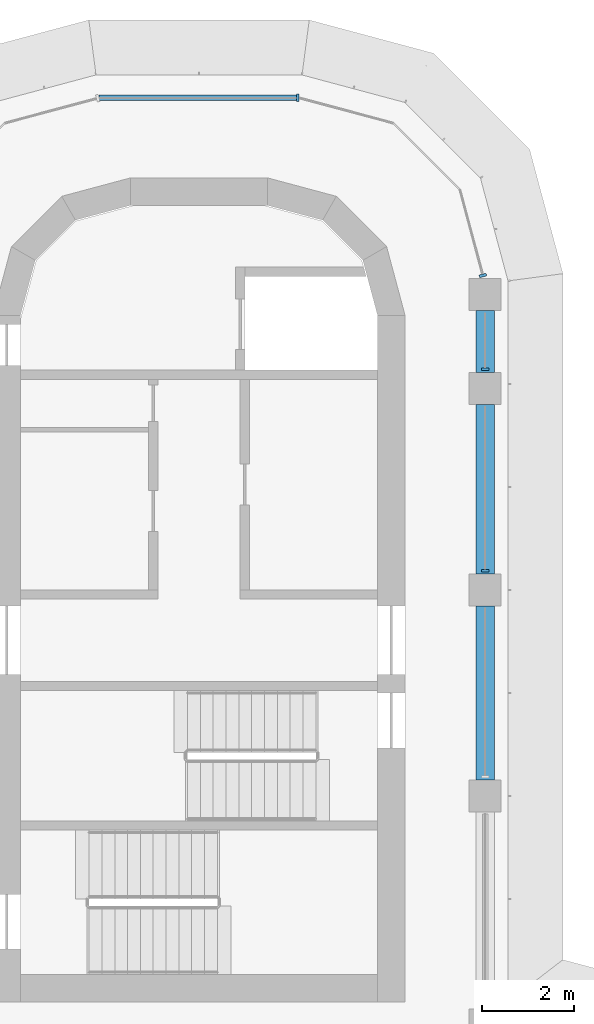
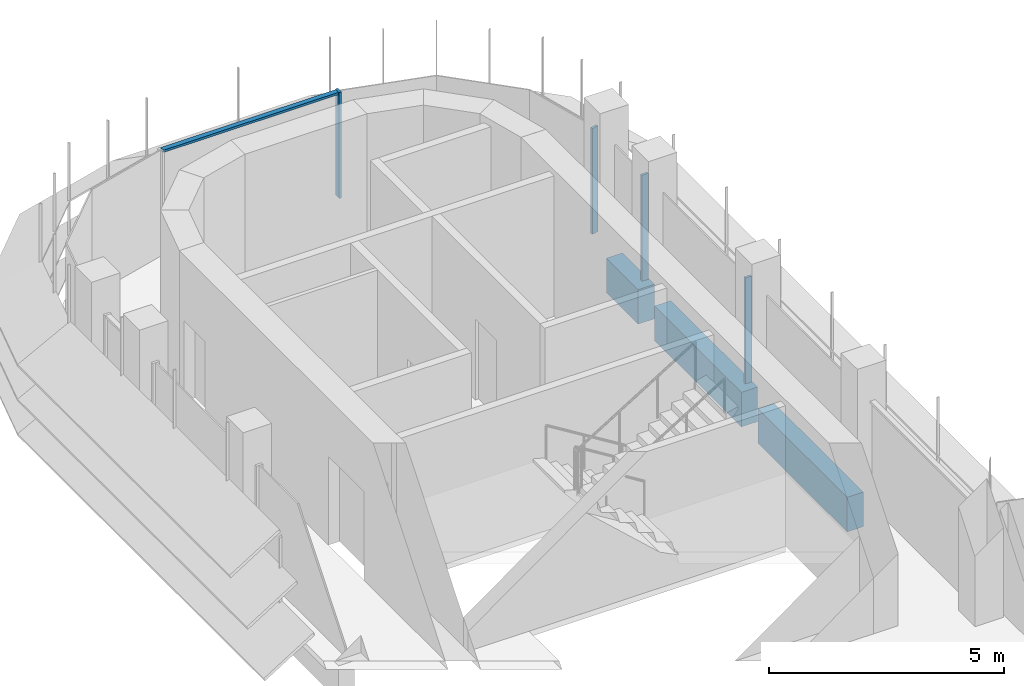
# One storey, part 10 of 19: 5 members, 3 beams, 3 elements without a shape of their own.
"""IFC4 building model written with IfcOpenShell, lengths in metres."""

from ifc_helpers import new_model, si_unit, direction, frame, origin, origin_2d, place, context, subcontext, project, spatial, polyline, rectangle, outline, extrude, source, transform, mapped, material, material_profile, profile_set, type_object, element, aggregate, save


model = new_model("IFC4")

# Units and contexts
model_context = context("Model", 3, precision=1e-05, world=origin(), true_north=direction((0.0, 1.0)))
body_context = subcontext(model_context, "Body", "Model", "MODEL_VIEW")
ifc_project = project(units=[si_unit("LENGTHUNIT", "METRE"), si_unit("AREAUNIT", "SQUARE_METRE"), si_unit("VOLUMEUNIT", "CUBIC_METRE"), si_unit("PLANEANGLEUNIT", "RADIAN"), si_unit("MASSUNIT", "GRAM", prefix="KILO")], contexts=[model_context])

# Site, building, storey
site_placement = place(None, origin())
site = spatial("IfcSite", under=ifc_project, at=site_placement, CompositionType="ELEMENT")
building_placement = place(site_placement, origin())
building = spatial("IfcBuilding", under=site, at=building_placement, Name="Zarbagh Exchange Tower", CompositionType="ELEMENT")
storey_placement = place(building_placement, frame((0.0, 0.0, 195.39990234375)))
storey = spatial("IfcBuildingStorey", under=building, at=storey_placement, Name="L47", CompositionType="ELEMENT", Elevation=195.39990234375)

# Beams
ifc_material_1 = material(Name="Concrete C50/60", Category="concrete")
ifc_material_profile = material_profile(ifc_material_1, rectangle(XDim=0.39990234375, YDim=0.89990234375, at=origin_2d()), Name="RC spandrel beam 400 x 900 C50/60")
ifc_profile_set = profile_set([ifc_material_profile], Name="Concrete C50/60")
beam_type = type_object("IfcBeamType", Name="RC spandrel beam 400 x 900 C50/60", PredefinedType="SPANDREL", material=ifc_profile_set)
beam_1_placement = place(storey_placement, frame((6.25, 26.35009765625, -0.599853515625), z_axis=(0.0, -1.0, 0.0), x_axis=(1.0, 0.0, 0.0)))
element("IfcBeam", 1, at=beam_1_placement, inside=storey, type_object=beam_type, Name="RC spandrel beam", PredefinedType="SPANDREL", context=body_context, shape_type="SweptSolid", body=[
    extrude(rectangle(XDim=0.39990234375, YDim=0.89990234375, at=origin_2d()), origin(), (0.0, 0.0, 1.0), 1.35009765625),
])
beam_2_placement = place(storey_placement, frame((6.25, 24.300048828125, -0.599853515625), z_axis=(0.0, -1.0, 0.0), x_axis=(1.0, 0.0, 0.0)))
element("IfcBeam", 2, at=beam_2_placement, inside=storey, type_object=beam_type, Name="RC spandrel beam", PredefinedType="SPANDREL", context=body_context, shape_type="SweptSolid", body=[
    extrude(rectangle(XDim=0.39990234375, YDim=0.89990234375, at=origin_2d()), origin(), (0.0, 0.0, 1.0), 3.699951171875),
])
beam_3_placement = place(storey_placement, frame((6.25, 19.89990234375, -0.599853515625), z_axis=(0.0, -1.0, 0.0), x_axis=(1.0, 0.0, 0.0)))
element("IfcBeam", 3, at=beam_3_placement, inside=storey, type_object=beam_type, Name="RC spandrel beam", PredefinedType="SPANDREL", context=body_context, shape_type="SweptSolid", body=[
    extrude(rectangle(XDim=0.39990234375, YDim=0.89990234375, at=origin_2d()), origin(), (0.0, 0.0, 1.0), 3.7998046875),
])

# Curtain wall, members
ifc_material_2 = material(Name="Anodised aluminium frame and glazing", Category="aluminium")
curtain_wall_type = type_object("IfcCurtainWallType", Name="CWB Ribbon glazing, upper zones", PredefinedType="NOTDEFINED", material=ifc_material_2)
curtain_wall_1_placement = place(storey_placement, origin())
curtain_wall_1 = element("IfcCurtainWall", 4, at=curtain_wall_1_placement, inside=storey, type_object=curtain_wall_type, Name="CWB20 curtain wall", PredefinedType="NOTDEFINED")
ifc_material_3 = material(Name="Anodised aluminium frame", Category="aluminium")
member_type_1 = type_object("IfcMemberType", Name="MUB Mullion, anodised aluminium frame", PredefinedType="MULLION", material=ifc_material_3)
shared_shape_1 = source(origin(), body_context, "Body", "SweptSolid", [
    extrude(outline(polyline([(0.0, -0.080078125), (0.06005859375, -0.080078125), (0.06005859375, 0.080078125), (0.0, 0.080078125), (0.0, -0.080078125)])), origin(), (0.0, 0.0, 1.0), 2.75),
])
placement = place(storey_placement, origin())
member_1 = element("IfcMember", 5, at=placement, type_object=member_type_1, Name="CWB20 mullion 3.1", PredefinedType="MULLION", context=body_context, shape_type="MappedRepresentation", body=[
    mapped(shared_shape_1, transform((6.25, 20.64013671875, 0.0), x_axis=(0.0, 1.0, 0.0), y_axis=(-1.0, 0.0, 0.0), z_axis=(0.0, 0.0, 1.0))),
])
member_2 = element("IfcMember", 6, at=placement, type_object=member_type_1, Name="CWB20 mullion 4.1", PredefinedType="MULLION", context=body_context, shape_type="MappedRepresentation", body=[
    mapped(shared_shape_1, transform((6.25, 25.0400390625, 0.0), x_axis=(0.0, 1.0, 0.0), y_axis=(-1.0, 0.0, 0.0), z_axis=(0.0, 0.0, 1.0))),
])
aggregate(curtain_wall_1, [member_1, member_2])

# Curtain wall, member
curtain_wall_2_placement = place(storey_placement, origin())
curtain_wall_2 = element("IfcCurtainWall", 7, at=curtain_wall_2_placement, inside=storey, type_object=curtain_wall_type, Name="CWB21 curtain wall", PredefinedType="NOTDEFINED")
member_3 = element("IfcMember", 8, at=placement, type_object=member_type_1, Name="CWB21 mullion 1.1", PredefinedType="MULLION", context=body_context, shape_type="MappedRepresentation", body=[
    mapped(shared_shape_1, transform((6.208251953125, 27.090087890625, 0.0), x_axis=(-0.258824779902, 0.965924289636, 0.0), y_axis=(-0.965924289636, -0.258824779902, 0.0), z_axis=(0.0, 0.0, 1.0))),
])
aggregate(curtain_wall_2, [member_3])

# Curtain wall, members
curtain_wall_3_placement = place(storey_placement, origin())
curtain_wall_3 = element("IfcCurtainWall", 9, at=curtain_wall_3_placement, inside=storey, type_object=curtain_wall_type, Name="CWB24 curtain wall", PredefinedType="NOTDEFINED")
member_4 = element("IfcMember", 10, at=placement, type_object=member_type_1, Name="CWB24 mullion 1.1", PredefinedType="MULLION", context=body_context, shape_type="MappedRepresentation", body=[
    mapped(shared_shape_1, transform((2.18408203125, 31.0, 0.0), x_axis=(-1.0, 0.0, 0.0), y_axis=(0.0, -1.0, 0.0), z_axis=(0.0, 0.0, 1.0))),
])
member_type_2 = type_object("IfcMemberType", Name="TRB Transom, anodised aluminium frame", PredefinedType="USERDEFINED", material=ifc_material_3)
shared_shape_2 = source(origin(), body_context, "Body", "SweptSolid", [
    extrude(outline(polyline([(-0.06005859375, -0.06005859375), (0.0, -0.06005859375), (0.0, 0.06005859375), (-0.06005859375, 0.06005859375), (-0.06005859375, -0.06005859375)])), origin(), (0.0, 0.0, 1.0), 4.308349609375),
])
member_5 = element("IfcMember", 11, at=placement, type_object=member_type_2, Name="CWB24 transom 1.1", ObjectType="TRANSOM", PredefinedType="USERDEFINED", context=body_context, shape_type="MappedRepresentation", body=[
    mapped(shared_shape_2, transform((2.124267578125, 31.0, 2.75), x_axis=(0.0, 0.0, 1.0), y_axis=(0.0, 1.0, 0.0), z_axis=(-1.0, 0.0, 0.0))),
])
aggregate(curtain_wall_3, [member_4, member_5])

save(model, "model.ifc")
